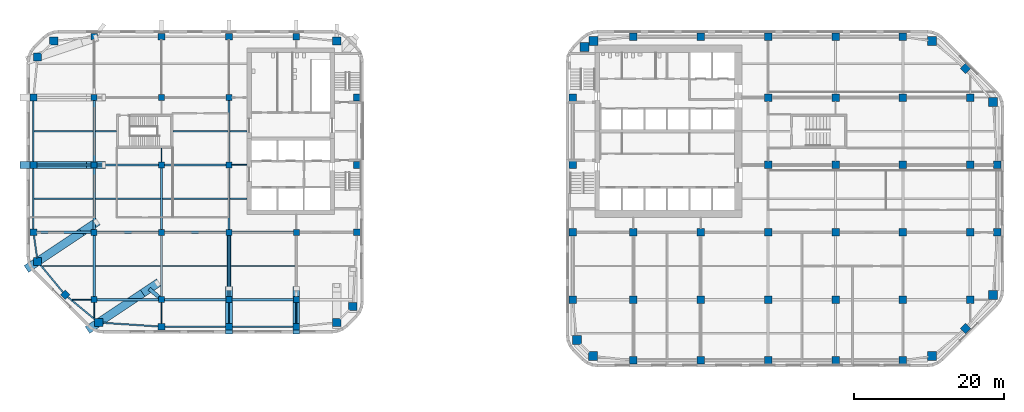
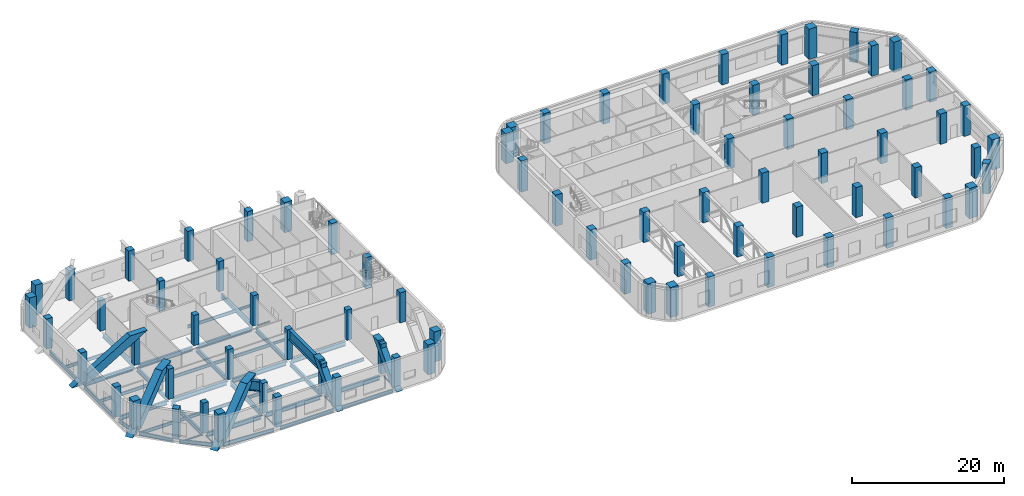
# One storey, part 1 of 23: 81 columns, 47 beams, 5 members.
"""IFC4 building model written with IfcOpenShell, lengths in metres."""

import ifcopenshell
import ifcopenshell.guid

model = None  # the IFC model being written
_history = None  # IfcOwnerHistory: only IFC2X3 demands one
_inside = {}  # id of a spatial element -> (the spatial element, [elements in it])
_under = {}  # id of a project, library or spatial element -> (it, [spatial elements below it])
_declared = {}  # id of a project -> (the project, [libraries it declares])
_typed = {}  # id of a type object -> (the type object, [elements of that type])
_made_of = {}  # id of a material, layer set ... -> (it, [elements and type objects made of it])


def new_model(schema):
    """Start an empty IFC model of exactly this schema.

    Asked for "IFC4X3", IfcOpenShell would pick the latest addendum, in which some entities
    have other attributes; the version numbers below select the first issue.
    IFC2X3 requires an IfcOwnerHistory on every rooted entity: one is made here for all.
    """
    global model, _history
    if schema == "IFC4X3":
        model = ifcopenshell.file(schema_version=(4, 3, 0, 0))
    else:
        model = ifcopenshell.file(schema=schema)
    _inside.clear()
    _under.clear()
    _declared.clear()
    _typed.clear()
    _made_of.clear()
    _history = None
    if model.schema == "IFC2X3":
        org = make("IfcOrganization", Name="unknown")
        user = make(
            "IfcPersonAndOrganization",
            ThePerson=make("IfcPerson", FamilyName="unknown"),
            TheOrganization=org,
        )
        app = make(
            "IfcApplication",
            ApplicationDeveloper=org,
            Version="unknown",
            ApplicationFullName="unknown",
            ApplicationIdentifier="unknown",
        )
        _history = make(
            "IfcOwnerHistory",
            OwningUser=user,
            OwningApplication=app,
            ChangeAction="ADDED",
            CreationDate=0,
        )
    return model


def make(cls, **values):
    """One entity of the class cls with the attributes given. An attribute that is None is left unset."""
    return model.create_entity(
        cls, **{name: value for name, value in values.items() if value is not None}
    )


def rooted(cls, **values):
    """An entity with a GlobalId (a new one), such as an element, a storey or a relation."""
    return make(cls, GlobalId=ifcopenshell.guid.new(), OwnerHistory=_history, **values)


def si_unit(unit_type, name, prefix=None):
    """IfcSIUnit, for example si_unit("LENGTHUNIT", "METRE", prefix="MILLI")."""
    return make("IfcSIUnit", UnitType=unit_type, Prefix=prefix, Name=name)


def assignment(units):
    """IfcUnitAssignment: the units of a project."""
    return None if units is None else make("IfcUnitAssignment", Units=units)


def point(xyz):
    """IfcCartesianPoint."""
    return None if xyz is None else make("IfcCartesianPoint", Coordinates=xyz)


def direction(xyz):
    """IfcDirection."""
    return None if xyz is None else make("IfcDirection", DirectionRatios=xyz)


def frame(location, z_axis=None, x_axis=None):
    """IfcAxis2Placement3D, a coordinate frame: its origin and axes. An axis left out is left unset."""
    return make(
        "IfcAxis2Placement3D",
        Location=point(location),
        Axis=direction(z_axis),
        RefDirection=direction(x_axis),
    )


def frame_2d(location, x_axis=None):
    """IfcAxis2Placement2D, a coordinate frame in the plane: its origin and x axis."""
    return make(
        "IfcAxis2Placement2D", Location=point(location), RefDirection=direction(x_axis)
    )


def origin():
    """The frame at (0, 0, 0) with its axes left unset."""
    return frame((0.0, 0.0, 0.0))


def origin_2d():
    """The frame at (0, 0) in the plane with its x axis left unset."""
    return frame_2d((0.0, 0.0))


def place(relative_to, where):
    """IfcLocalPlacement: puts the frame where relative to a parent placement (None: the world)."""
    return make(
        "IfcLocalPlacement", PlacementRelTo=relative_to, RelativePlacement=where
    )


def context(
    kind, dimensions, precision=None, world=None, true_north=None, identifier=None
):
    """IfcGeometricRepresentationContext, for example the 3D "Model" context."""
    return make(
        "IfcGeometricRepresentationContext",
        ContextIdentifier=identifier,
        ContextType=kind,
        CoordinateSpaceDimension=dimensions,
        Precision=precision,
        WorldCoordinateSystem=world,
        TrueNorth=true_north,
    )


def subcontext(parent, identifier, kind, view, scale=None):
    """IfcGeometricRepresentationSubContext, for example "Body" below "Model"."""
    return make(
        "IfcGeometricRepresentationSubContext",
        ContextIdentifier=identifier,
        ContextType=kind,
        ParentContext=parent,
        TargetScale=scale,
        TargetView=view,
    )


def project(units=None, contexts=None):
    """IfcProject with its units and contexts."""
    return rooted(
        "IfcProject",
        Name="project",
        RepresentationContexts=contexts,
        UnitsInContext=assignment(units),
    )


def spatial(cls, under=None, at=None, **own):
    """A site, building, storey or space (cls), placed at a placement, below another one or the project."""
    s = rooted(cls, ObjectPlacement=at, **own)
    if under is not None:
        _under.setdefault(under.id(), (under, []))[1].append(s)
    return s


def profile(cls, at=None, kind="AREA", **sizes):
    """A parametric profile (cls). Its sizes go by their IFC names, for example OverallWidth=200.0."""
    return make(cls, ProfileType=kind, Position=at, **sizes)


def rectangle(**sizes):
    """IfcRectangleProfileDef."""
    return profile("IfcRectangleProfileDef", **sizes)


def i_section(**sizes):
    """IfcIShapeProfileDef."""
    return profile("IfcIShapeProfileDef", **sizes)


def extrude(swept, where, along, depth):
    """IfcExtrudedAreaSolid: the profile swept, set in the frame where, extruded along a direction by depth."""
    return make(
        "IfcExtrudedAreaSolid",
        SweptArea=swept,
        Position=where,
        ExtrudedDirection=direction(along),
        Depth=depth,
    )


def shape(context_of_items, identifier, shape_type, items):
    """IfcShapeRepresentation: the items that make up one representation, for example the "Body"."""
    return make(
        "IfcShapeRepresentation",
        ContextOfItems=context_of_items,
        RepresentationIdentifier=identifier,
        RepresentationType=shape_type,
        Items=items,
    )


def material(Name=None, Category=None):
    """IfcMaterial."""
    return make("IfcMaterial", Name=Name, Category=Category)


def material_profile(
    of_material, cross_section, Name=None, Category=None, Priority=None
):
    """IfcMaterialProfile: a cross section and its material."""
    return make(
        "IfcMaterialProfile",
        Name=Name,
        Material=of_material,
        Profile=cross_section,
        Priority=Priority,
        Category=Category,
    )


def profile_set(profiles, Name=None, composite=None):
    """IfcMaterialProfileSet."""
    return make(
        "IfcMaterialProfileSet",
        Name=Name,
        MaterialProfiles=profiles,
        CompositeProfile=composite,
    )


def made_of(thing, what):
    """Note that an element or type object is made of a material, layer set ...; save() writes the relation."""
    if what is not None:
        _made_of.setdefault(what.id(), (what, []))[1].append(thing)
    return thing


def type_object(cls, material=None, **own):
    """A type object (cls), such as IfcWallType, which elements share."""
    return made_of(rooted(cls, **own), material)


def element(
    cls,
    number,
    at=None,
    inside=None,
    cuts=None,
    type_object=None,
    material=None,
    context=None,
    identifier="Body",
    shape_type=None,
    held_by="IfcProductDefinitionShape",
    body=None,
    shapes=None,
    **own,
):
    """One element of the class cls, such as IfcWall. Its Tag is "e" and its number.

    at: its placement. inside: the storey or other place that contains it. cuts: it is an
    opening in that element (IfcRelVoidsElement). A single representation is given by context,
    identifier, shape_type and body (its items); several are given by shapes. held_by: the class
    of the entity that holds the representations. save() writes the other relations.
    """
    e = rooted(cls, Tag="e%d" % number, ObjectPlacement=at, **own)
    if body is not None:
        shapes = [shape(context, identifier, shape_type, body)]
    if shapes is not None:
        e.Representation = make(held_by, Representations=shapes)
    if inside is not None:
        _inside.setdefault(inside.id(), (inside, []))[1].append(e)
    if cuts is not None:
        rooted(
            "IfcRelVoidsElement", RelatingBuildingElement=cuts, RelatedOpeningElement=e
        )
    if type_object is not None:
        _typed.setdefault(type_object.id(), (type_object, []))[1].append(e)
    return made_of(e, material)


def aggregate(whole, parts):
    """IfcRelAggregates: a whole, such as a stair, and the parts it consists of."""
    return rooted("IfcRelAggregates", RelatingObject=whole, RelatedObjects=parts)


def save(model, path):
    """Write the relations noted so far, then the file.

    IfcRelAggregates (storeys below a building ...), IfcRelContainedInSpatialStructure (elements
    in a storey), IfcRelDefinesByType, IfcRelAssociatesMaterial and IfcRelDeclares: one each for
    every whole, place, type object, material and project.
    """
    for whole, parts in _under.values():
        aggregate(whole, parts)
    for where, things in _inside.values():
        rooted(
            "IfcRelContainedInSpatialStructure",
            RelatedElements=things,
            RelatingStructure=where,
        )
    for kind, things in _typed.values():
        rooted("IfcRelDefinesByType", RelatedObjects=things, RelatingType=kind)
    for what, things in _made_of.values():
        rooted("IfcRelAssociatesMaterial", RelatedObjects=things, RelatingMaterial=what)
    for by, libraries in _declared.values():
        rooted("IfcRelDeclares", RelatingContext=by, RelatedDefinitions=libraries)
    model.write(path)


model = new_model("IFC4")

# Units and contexts
model_context = context("Model", 3, precision=1e-05, world=origin(), true_north=direction((0.0, 1.0)))
body_context = subcontext(model_context, "Body", "Model", "MODEL_VIEW")
ifc_project = project(units=[si_unit("LENGTHUNIT", "METRE"), si_unit("AREAUNIT", "SQUARE_METRE"), si_unit("VOLUMEUNIT", "CUBIC_METRE"), si_unit("PLANEANGLEUNIT", "RADIAN"), si_unit("MASSUNIT", "GRAM", prefix="KILO")], contexts=[model_context])

# Site, building, storey
site_placement = place(None, origin())
site = spatial("IfcSite", under=ifc_project, at=site_placement, CompositionType="ELEMENT")
building_placement = place(site_placement, origin())
building = spatial("IfcBuilding", under=site, at=building_placement, Name="Cinnabar Reach Civic Tower", CompositionType="ELEMENT")
storey_placement = place(building_placement, frame((0.0, 0.0, 46.0)))
storey = spatial("IfcBuildingStorey", under=building, at=storey_placement, Name="L10", CompositionType="ELEMENT", Elevation=46.0)

# Columns
ifc_material_1 = material(Name="Concrete C70", Category="concrete")
ifc_material_profile_1 = material_profile(ifc_material_1, rectangle(XDim=1.0, YDim=1.0, at=origin_2d()), Name="RC1000")
ifc_profile_set_1 = profile_set([ifc_material_profile_1], Name="Concrete C70")
column_type_1 = type_object("IfcColumnType", Name="RC1000 column R 240", PredefinedType="COLUMN", material=ifc_profile_set_1)
for number, where, z_axis, x_axis, name in (
    (1, (9.0, 0.9, 0.0), (0.0, 0.0, 1.0), (1.0, 0.0, 0.0), "Column T1-Z1-F0-1"),
    (2, (18.0, 0.9, 0.0), (0.0, 0.0, 1.0), (1.0, 0.0, 0.0), "Column T1-Z1-F0-2"),
    (3, (27.0, 0.9, 0.0), (0.0, 0.0, 1.0), (1.0, 0.0, 0.0), "Column T1-Z1-F0-3"),
    (4, (36.0, 0.9, 0.0), (0.0, 0.0, 1.0), (1.0, 0.0, 0.0), "Column T1-Z1-F0-4"),
    (5, (45.0, 0.9, 0.0), (0.0, 0.0, 1.0), (1.0, 0.0, 0.0), "Column T1-Z1-F0-5"),
    (6, (53.3636, 5.1364, 0.0), (0.0, 0.0, 1.0), (0.707106781187, 0.707106781187, 0.0), "Column T1-Z1-F1-M"),
    (7, (57.6, 18.0, 0.0), (0.0, 0.0, 1.0), (1.0, 0.0, 0.0), "Column T1-Z1-F2-2"),
    (8, (57.6, 27.0, 0.0), (0.0, 0.0, 1.0), (1.0, 0.0, 0.0), "Column T1-Z1-F2-3"),
    (9, (53.3636, 39.8636, 0.0), (0.0, 0.0, 1.0), (0.707106781187, 0.707106781187, 0.0), "Column T1-Z1-F3-M"),
    (10, (9.0, 44.1, 0.0), (0.0, 0.0, 1.0), (1.0, 0.0, 0.0), "Column T1-Z1-F4-1"),
    (11, (18.0, 44.1, 0.0), (0.0, 0.0, 1.0), (1.0, 0.0, 0.0), "Column T1-Z1-F4-2"),
    (12, (27.0, 44.1, 0.0), (0.0, 0.0, 1.0), (1.0, 0.0, 0.0), "Column T1-Z1-F4-3"),
    (13, (36.0, 44.1, 0.0), (0.0, 0.0, 1.0), (1.0, 0.0, 0.0), "Column T1-Z1-F4-4"),
    (14, (45.0, 44.1, 0.0), (0.0, 0.0, 1.0), (1.0, 0.0, 0.0), "Column T1-Z1-F4-5"),
    (15, (0.9, 9.0, 0.0), (0.0, 0.0, 1.0), (1.0, 0.0, 0.0), "Column T1-Z1-F6-1"),
    (16, (0.9, 18.0, 0.0), (0.0, 0.0, 1.0), (1.0, 0.0, 0.0), "Column T1-Z1-F6-2"),
):
    element("IfcColumn", number, at=place(storey_placement, frame(where, z_axis=z_axis, x_axis=x_axis)), inside=storey, type_object=column_type_1, Name=name, PredefinedType="COLUMN", context=body_context, shape_type="SweptSolid", body=[
        extrude(rectangle(XDim=1.0, YDim=1.0, at=origin_2d()), origin(), (0.0, 0.0, 1.0), 4.85),
    ])
for number, where, z_axis, x_axis, name in (
    (17, (0.9, 27.0, 0.0), (0.0, 0.0, 1.0), (1.0, 0.0, 0.0), "Column T1-Z1-F6-3"),
    (18, (0.9, 36.0, 0.0), (0.0, 0.0, 1.0), (1.0, 0.0, 0.0), "Column T1-Z1-F6-4"),
):
    element("IfcColumn", number, at=place(storey_placement, frame(where, z_axis=z_axis, x_axis=x_axis)), inside=storey, type_object=column_type_1, Name=name, PredefinedType="COLUMN", context=body_context, shape_type="SweptSolid", body=[
        extrude(rectangle(XDim=1.0, YDim=1.0, at=origin_2d()), origin(), (0.0, 0.0, 1.0), 5.0),
    ])
for number, where, z_axis, x_axis, name in (
    (19, (9.0, 9.0, 0.0), (0.0, 0.0, 1.0), (1.0, 0.0, 0.0), "Column T1-Z1-I9_9"),
    (20, (9.0, 18.0, 0.0), (0.0, 0.0, 1.0), (1.0, 0.0, 0.0), "Column T1-Z1-I9_18"),
    (21, (18.0, 9.0, 0.0), (0.0, 0.0, 1.0), (1.0, 0.0, 0.0), "Column T1-Z1-I18_9"),
    (22, (18.0, 18.0, 0.0), (0.0, 0.0, 1.0), (1.0, 0.0, 0.0), "Column T1-Z1-I18_18"),
    (23, (27.0, 9.0, 0.0), (0.0, 0.0, 1.0), (1.0, 0.0, 0.0), "Column T1-Z1-I27_9"),
    (24, (27.0, 18.0, 0.0), (0.0, 0.0, 1.0), (1.0, 0.0, 0.0), "Column T1-Z1-I27_18"),
    (25, (27.0, 27.0, 0.0), (0.0, 0.0, 1.0), (1.0, 0.0, 0.0), "Column T1-Z1-I27_27"),
    (26, (27.0, 36.0, 0.0), (0.0, 0.0, 1.0), (1.0, 0.0, 0.0), "Column T1-Z1-I27_36"),
    (27, (36.0, 9.0, 0.0), (0.0, 0.0, 1.0), (1.0, 0.0, 0.0), "Column T1-Z1-I36_9"),
    (28, (36.0, 18.0, 0.0), (0.0, 0.0, 1.0), (1.0, 0.0, 0.0), "Column T1-Z1-I36_18"),
    (29, (36.0, 27.0, 0.0), (0.0, 0.0, 1.0), (1.0, 0.0, 0.0), "Column T1-Z1-I36_27"),
    (30, (36.0, 36.0, 0.0), (0.0, 0.0, 1.0), (1.0, 0.0, 0.0), "Column T1-Z1-I36_36"),
    (31, (45.0, 9.0, 0.0), (0.0, 0.0, 1.0), (1.0, 0.0, 0.0), "Column T1-Z1-I45_9"),
    (32, (45.0, 18.0, 0.0), (0.0, 0.0, 1.0), (1.0, 0.0, 0.0), "Column T1-Z1-I45_18"),
    (33, (45.0, 27.0, 0.0), (0.0, 0.0, 1.0), (1.0, 0.0, 0.0), "Column T1-Z1-I45_27"),
    (34, (45.0, 36.0, 0.0), (0.0, 0.0, 1.0), (1.0, 0.0, 0.0), "Column T1-Z1-I45_36"),
    (35, (54.0, 9.0, 0.0), (0.0, 0.0, 1.0), (1.0, 0.0, 0.0), "Column T1-Z1-I54_9"),
    (36, (54.0, 18.0, 0.0), (0.0, 0.0, 1.0), (1.0, 0.0, 0.0), "Column T1-Z1-I54_18"),
    (37, (54.0, 27.0, 0.0), (0.0, 0.0, 1.0), (1.0, 0.0, 0.0), "Column T1-Z1-I54_27"),
    (38, (54.0, 36.0, 0.0), (0.0, 0.0, 1.0), (1.0, 0.0, 0.0), "Column T1-Z1-I54_36"),
):
    element("IfcColumn", number, at=place(storey_placement, frame(where, z_axis=z_axis, x_axis=x_axis)), inside=storey, type_object=column_type_1, Name=name, PredefinedType="COLUMN", context=body_context, shape_type="SweptSolid", body=[
        extrude(rectangle(XDim=1.0, YDim=1.0, at=origin_2d()), origin(), (0.0, 0.0, 1.0), 4.85),
    ])
ifc_material_2 = material(Name="Concrete C80", Category="concrete")
ifc_material_profile_2 = material_profile(ifc_material_2, rectangle(XDim=1.1, YDim=1.1, at=origin_2d()), Name="RC1100")
ifc_profile_set_2 = profile_set([ifc_material_profile_2], Name="Concrete C80")
column_type_2 = type_object("IfcColumnType", Name="RC1100 column R 180", PredefinedType="COLUMN", material=ifc_profile_set_2)
for number, where, z_axis, x_axis, name in (
    (39, (-62.3981, 5.9531, 0.0), (0.0, 0.0, 1.0), (1.0, 0.0, 0.0), "Terrace post T2-Z1-CC0"),
    (40, (-30.6019, 5.9531, 0.0), (0.0, 0.0, 1.0), (1.0, 0.0, 0.0), "Terrace post T2-Z1-CC1"),
    (41, (-28.4531, 8.1019, 0.0), (0.0, 0.0, 1.0), (1.0, 0.0, 0.0), "Terrace post T2-Z1-CC2"),
    (42, (-30.6019, 43.5469, 0.0), (0.0, 0.0, 1.0), (1.0, 0.0, 0.0), "Column T2-Z1-CC4"),
    (43, (-68.3981, 43.5469, 0.0), (0.0, 0.0, 1.0), (1.0, 0.0, 0.0), "Column T2-Z1-CC5"),
    (44, (-70.5469, 41.3981, 0.0), (0.0, 0.0, 1.0), (1.0, 0.0, 0.0), "Terrace post T2-Z1-CC6"),
    (45, (-70.5469, 14.1019, 0.0), (0.0, 0.0, 1.0), (1.0, 0.0, 0.0), "Terrace post T2-Z1-CC7"),
):
    element("IfcColumn", number, at=place(storey_placement, frame(where, z_axis=z_axis, x_axis=x_axis)), inside=storey, type_object=column_type_2, Name=name, PredefinedType="COLUMN", context=body_context, shape_type="SweptSolid", body=[
        extrude(rectangle(XDim=1.1, YDim=1.1, at=origin_2d()), origin(), (0.0, 0.0, 1.0), 4.85),
    ])
ifc_material_profile_3 = material_profile(ifc_material_2, rectangle(XDim=1.2, YDim=1.2, at=origin_2d()), Name="RC1200")
ifc_profile_set_3 = profile_set([ifc_material_profile_3], Name="Concrete C80")
column_type_3 = type_object("IfcColumnType", Name="RC1200 column R 240", PredefinedType="COLUMN", material=ifc_profile_set_3)
for number, where, z_axis, x_axis, name in (
    (46, (3.6019, 1.4531, 0.0), (0.0, 0.0, 1.0), (1.0, 0.0, 0.0), "Column T1-Z1-CC0"),
    (47, (48.8981, 1.4531, 0.0), (0.0, 0.0, 1.0), (1.0, 0.0, 0.0), "Column T1-Z1-CC1"),
    (48, (57.0469, 9.6019, 0.0), (0.0, 0.0, 1.0), (1.0, 0.0, 0.0), "Column T1-Z1-CC2"),
    (49, (57.0469, 35.3981, 0.0), (0.0, 0.0, 1.0), (1.0, 0.0, 0.0), "Column T1-Z1-CC3"),
    (50, (48.8981, 43.5469, 0.0), (0.0, 0.0, 1.0), (1.0, 0.0, 0.0), "Column T1-Z1-CC4"),
    (51, (3.6666, 43.5737, 0.0), (0.0, 0.0, 1.0), (1.0, 0.0, 0.0), "Column T1-Z1-CC5"),
    (52, (2.4631, 42.75, 0.0), (0.0, 0.0, 1.0), (1.0, 0.0, 0.0), "Column T1-Z1-CC6"),
    (53, (1.4531, 3.6019, 0.0), (0.0, 0.0, 1.0), (1.0, 0.0, 0.0), "Column T1-Z1-CC7"),
):
    element("IfcColumn", number, at=place(storey_placement, frame(where, z_axis=z_axis, x_axis=x_axis)), inside=storey, type_object=column_type_3, Name=name, PredefinedType="COLUMN", context=body_context, shape_type="SweptSolid", body=[
        extrude(rectangle(XDim=1.2, YDim=1.2, at=origin_2d()), origin(), (0.0, 0.0, 1.0), 4.85),
    ])
ifc_material_3 = material(Name="Concrete C60", Category="concrete")
ifc_material_profile_4 = material_profile(ifc_material_3, rectangle(XDim=0.8, YDim=0.8, at=origin_2d()), Name="RC800")
ifc_profile_set_4 = profile_set([ifc_material_profile_4], Name="Concrete C60")
column_type_4 = type_object("IfcColumnType", Name="RC800 column R 180", PredefinedType="COLUMN", material=ifc_profile_set_4)
for number, where, z_axis, x_axis, name in (
    (54, (-63.0, 9.0, 0.0), (0.0, 0.0, 1.0), (1.0, 0.0, 0.0), "Column T2-Z1-I-63_9"),
    (55, (-63.0, 18.0, 0.0), (0.0, 0.0, 1.0), (1.0, 0.0, 0.0), "Column T2-Z1-I-63_18"),
    (56, (-63.0, 27.0, 0.0), (0.0, 0.0, 1.0), (1.0, 0.0, 0.0), "Column T2-Z1-I-63_27"),
    (57, (-63.0, 36.0, 0.0), (0.0, 0.0, 1.0), (1.0, 0.0, 0.0), "Column T2-Z1-I-63_36"),
    (58, (-54.0, 9.0, 0.0), (0.0, 0.0, 1.0), (1.0, 0.0, 0.0), "Column T2-Z1-I-54_9"),
    (59, (-54.0, 18.0, 0.0), (0.0, 0.0, 1.0), (1.0, 0.0, 0.0), "Column T2-Z1-I-54_18"),
    (60, (-54.0, 27.0, 0.0), (0.0, 0.0, 1.0), (1.0, 0.0, 0.0), "Column T2-Z1-I-54_27"),
    (61, (-54.0, 36.0, 0.0), (0.0, 0.0, 1.0), (1.0, 0.0, 0.0), "Column T2-Z1-I-54_36"),
    (62, (-45.0, 9.0, 0.0), (0.0, 0.0, 1.0), (1.0, 0.0, 0.0), "Column T2-Z1-I-45_9"),
    (63, (-45.0, 18.0, 0.0), (0.0, 0.0, 1.0), (1.0, 0.0, 0.0), "Column T2-Z1-I-45_18"),
    (64, (-45.0, 27.0, 0.0), (0.0, 0.0, 1.0), (1.0, 0.0, 0.0), "Column T2-Z1-I-45_27"),
    (65, (-45.0, 36.0, 0.0), (0.0, 0.0, 1.0), (1.0, 0.0, 0.0), "Column T2-Z1-I-45_36"),
    (66, (-36.0, 9.0, 0.0), (0.0, 0.0, 1.0), (1.0, 0.0, 0.0), "Column T2-Z1-I-36_9"),
    (67, (-36.0, 18.0, 0.0), (0.0, 0.0, 1.0), (1.0, 0.0, 0.0), "Column T2-Z1-I-36_18"),
):
    element("IfcColumn", number, at=place(storey_placement, frame(where, z_axis=z_axis, x_axis=x_axis)), inside=storey, type_object=column_type_4, Name=name, PredefinedType="COLUMN", context=body_context, shape_type="SweptSolid", body=[
        extrude(rectangle(XDim=0.8, YDim=0.8, at=origin_2d()), origin(), (0.0, 0.0, 1.0), 4.85),
    ])
ifc_material_profile_5 = material_profile(ifc_material_1, rectangle(XDim=0.9, YDim=0.9, at=origin_2d()), Name="RC900")
ifc_profile_set_5 = profile_set([ifc_material_profile_5], Name="Concrete C70")
column_type_5 = type_object("IfcColumnType", Name="RC900 column R 180", PredefinedType="COLUMN", material=ifc_profile_set_5)
for number, where, z_axis, x_axis, name in (
    (68, (-54.0, 5.4, 0.0), (0.0, 0.0, 1.0), (1.0, 0.0, 0.0), "Column T2-Z1-F0--6"),
    (69, (-45.0, 5.4, 0.0), (0.0, 0.0, 1.0), (1.0, 0.0, 0.0), "Terrace post T2-Z1-F0--5"),
    (70, (-36.0, 5.4, 0.0), (0.0, 0.0, 1.0), (1.0, 0.0, 0.0), "Terrace post T2-Z1-F0--4"),
    (71, (-27.9, 18.0, 0.0), (0.0, 0.0, 1.0), (1.0, 0.0, 0.0), "Column T2-Z1-F2-2"),
):
    element("IfcColumn", number, at=place(storey_placement, frame(where, z_axis=z_axis, x_axis=x_axis)), inside=storey, type_object=column_type_5, Name=name, PredefinedType="COLUMN", context=body_context, shape_type="SweptSolid", body=[
        extrude(rectangle(XDim=0.9, YDim=0.9, at=origin_2d()), origin(), (0.0, 0.0, 1.0), 4.85),
    ])
for number, where, z_axis, x_axis, name in (
    (72, (-27.9, 27.0, 0.0), (0.0, 0.0, 1.0), (1.0, 0.0, 0.0), "Column T2-Z1-F2-3"),
    (73, (-27.9, 36.0, 0.0), (0.0, 0.0, 1.0), (1.0, 0.0, 0.0), "Column T2-Z1-F2-4"),
):
    element("IfcColumn", number, at=place(storey_placement, frame(where, z_axis=z_axis, x_axis=x_axis)), inside=storey, type_object=column_type_5, Name=name, PredefinedType="COLUMN", context=body_context, shape_type="SweptSolid", body=[
        extrude(rectangle(XDim=0.9, YDim=0.9, at=origin_2d()), origin(), (0.0, 0.0, 1.0), 5.0),
    ])
for number, where, z_axis, x_axis, name in (
    (74, (-63.0, 44.1, 0.0), (0.0, 0.0, 1.0), (1.0, 0.0, 0.0), "Column T2-Z1-F4--7"),
    (75, (-54.0, 44.1, 0.0), (0.0, 0.0, 1.0), (1.0, 0.0, 0.0), "Column T2-Z1-F4--6"),
    (76, (-45.0, 44.1, 0.0), (0.0, 0.0, 1.0), (1.0, 0.0, 0.0), "Column T2-Z1-F4--5"),
    (77, (-36.0, 44.1, 0.0), (0.0, 0.0, 1.0), (1.0, 0.0, 0.0), "Column T2-Z1-F4--4"),
    (78, (-71.1, 18.0, 0.0), (0.0, 0.0, 1.0), (1.0, 0.0, 0.0), "Column T2-Z1-F6-2"),
    (79, (-71.1, 27.0, 0.0), (0.0, 0.0, 1.0), (1.0, 0.0, 0.0), "Terrace post T2-Z1-F6-3"),
    (80, (-71.1, 36.0, 0.0), (0.0, 0.0, 1.0), (1.0, 0.0, 0.0), "Terrace post T2-Z1-F6-4"),
    (81, (-66.8636, 9.6364, 0.0), (0.0, 0.0, 1.0), (0.707106781187, 0.707106781187, 0.0), "Column T2-Z1-F7-M"),
):
    element("IfcColumn", number, at=place(storey_placement, frame(where, z_axis=z_axis, x_axis=x_axis)), inside=storey, type_object=column_type_5, Name=name, PredefinedType="COLUMN", context=body_context, shape_type="SweptSolid", body=[
        extrude(rectangle(XDim=0.9, YDim=0.9, at=origin_2d()), origin(), (0.0, 0.0, 1.0), 4.85),
    ])

# Beams
ifc_material_4 = material(Name="Steel Q355B", Category="steel")
ifc_material_profile_6 = material_profile(ifc_material_4, i_section(OverallWidth=0.099, OverallDepth=0.198, WebThickness=0.0045, FlangeThickness=0.007, FilletRadius=0.013, at=origin_2d()), Name="HN200x100x5.5x8")
ifc_profile_set_6 = profile_set([ifc_material_profile_6], Name="Steel Q355B")
beam_type_1 = type_object("IfcBeamType", Name="HN200x100x5.5x8 beam R 120", PredefinedType="BEAM", material=ifc_profile_set_6)
beam_1_placement = place(storey_placement, frame((-63.0, 6.5818, -0.399), z_axis=(0.0, 1.0, 0.0), x_axis=(-1.0, 0.0, 0.0)))
element("IfcBeam", 82, at=beam_1_placement, inside=storey, type_object=beam_type_1, Name="Girder T2 L10 1", PredefinedType="BEAM", context=body_context, shape_type="SweptSolid", body=[
    extrude(i_section(OverallWidth=0.099, OverallDepth=0.198, WebThickness=0.0045, FlangeThickness=0.007, FilletRadius=0.013, at=origin_2d()), origin(), (0.0, 0.0, 1.0), 2.0162),
])
beam_2_placement = place(storey_placement, frame((-54.0, 5.852, -0.399), z_axis=(0.0, 1.0, 0.0), x_axis=(-1.0, 0.0, 0.0)))
element("IfcBeam", 83, at=beam_2_placement, inside=storey, type_object=beam_type_1, Name="Girder T2 L10 6", PredefinedType="BEAM", context=body_context, shape_type="SweptSolid", body=[
    extrude(i_section(OverallWidth=0.099, OverallDepth=0.198, WebThickness=0.0045, FlangeThickness=0.007, FilletRadius=0.013, at=origin_2d()), origin(), (0.0, 0.0, 1.0), 2.746),
])
beam_3_placement = place(storey_placement, frame((-54.0, 27.402, -0.399), z_axis=(0.0, 1.0, 0.0), x_axis=(-1.0, 0.0, 0.0)))
element("IfcBeam", 84, at=beam_3_placement, inside=storey, type_object=beam_type_1, Name="Girder T2 L10 9", PredefinedType="BEAM", context=body_context, shape_type="SweptSolid", body=[
    extrude(i_section(OverallWidth=0.099, OverallDepth=0.198, WebThickness=0.0045, FlangeThickness=0.007, FilletRadius=0.013, at=origin_2d()), origin(), (0.0, 0.0, 1.0), 1.846),
])
for number, where, z_axis, x_axis, name in (
    (85, (-45.0, 5.852, -0.399), (0.0, 1.0, 0.0), (-1.0, 0.0, 0.0), "Girder T2 L10 12"),
    (86, (-36.0, 5.852, -0.399), (0.0, 1.0, 0.0), (-1.0, 0.0, 0.0), "Girder T2 L10 17"),
):
    element("IfcBeam", number, at=place(storey_placement, frame(where, z_axis=z_axis, x_axis=x_axis)), inside=storey, type_object=beam_type_1, Name=name, PredefinedType="BEAM", context=body_context, shape_type="SweptSolid", body=[
        extrude(i_section(OverallWidth=0.099, OverallDepth=0.198, WebThickness=0.0045, FlangeThickness=0.007, FilletRadius=0.013, at=origin_2d()), origin(), (0.0, 0.0, 1.0), 2.746),
    ])
ifc_material_profile_7 = material_profile(ifc_material_4, i_section(OverallWidth=0.124, OverallDepth=0.248, WebThickness=0.005, FlangeThickness=0.008, FilletRadius=0.013, at=origin_2d()), Name="HN250x125x6x9")
ifc_profile_set_7 = profile_set([ifc_material_profile_7], Name="Steel Q355B")
beam_type_2 = type_object("IfcBeamType", Name="HN250x125x6x9 beam R 120", PredefinedType="BEAM", material=ifc_profile_set_7)
beam_4_placement = place(storey_placement, frame((-65.9318, 9.0, -0.424), z_axis=(1.0, 0.0, 0.0), x_axis=(0.0, 1.0, 0.0)))
element("IfcBeam", 87, at=beam_4_placement, inside=storey, type_object=beam_type_2, Name="Girder T2 L10 1", PredefinedType="BEAM", context=body_context, shape_type="SweptSolid", body=[
    extrude(i_section(OverallWidth=0.124, OverallDepth=0.248, WebThickness=0.005, FlangeThickness=0.008, FilletRadius=0.013, at=origin_2d()), origin(), (0.0, 0.0, 1.0), 2.5298),
])
beam_5_placement = place(storey_placement, frame((-44.598, 27.0, -0.424), z_axis=(1.0, 0.0, 0.0), x_axis=(0.0, 1.0, 0.0)))
element("IfcBeam", 88, at=beam_5_placement, inside=storey, type_object=beam_type_2, Name="Girder T2 L10 14", PredefinedType="BEAM", context=body_context, shape_type="SweptSolid", body=[
    extrude(i_section(OverallWidth=0.124, OverallDepth=0.248, WebThickness=0.005, FlangeThickness=0.008, FilletRadius=0.013, at=origin_2d()), origin(), (0.0, 0.0, 1.0), 1.996),
])
ifc_material_profile_8 = material_profile(ifc_material_4, i_section(OverallWidth=0.2, OverallDepth=0.4, WebThickness=0.008, FlangeThickness=0.013, FilletRadius=0.016, at=origin_2d()), Name="HN400x200x8x13")
ifc_profile_set_8 = profile_set([ifc_material_profile_8], Name="Steel Q355B")
beam_type_3 = type_object("IfcBeamType", Name="HN400x200x8x13 beam R 120", PredefinedType="BEAM", material=ifc_profile_set_8)
beam_6_placement = place(storey_placement, frame((-44.848, 22.5, -0.5), z_axis=(1.0, 0.0, 0.0), x_axis=(0.0, 1.0, 0.0)))
element("IfcBeam", 89, at=beam_6_placement, inside=storey, type_object=beam_type_3, Name="Secondary beam T2 L10 9", PredefinedType="BEAM", context=body_context, shape_type="SweptSolid", body=[
    extrude(i_section(OverallWidth=0.2, OverallDepth=0.4, WebThickness=0.008, FlangeThickness=0.013, FilletRadius=0.016, at=origin_2d()), origin(), (0.0, 0.0, 1.0), 2.246),
])
beam_7_placement = place(storey_placement, frame((-62.848, 31.5, -0.5), z_axis=(1.0, 0.0, 0.0), x_axis=(0.0, 1.0, 0.0)))
element("IfcBeam", 90, at=beam_7_placement, inside=storey, type_object=beam_type_3, Name="Secondary beam T2 L10 11", PredefinedType="BEAM", context=body_context, shape_type="SweptSolid", body=[
    extrude(i_section(OverallWidth=0.2, OverallDepth=0.4, WebThickness=0.008, FlangeThickness=0.013, FilletRadius=0.016, at=origin_2d()), origin(), (0.0, 0.0, 1.0), 2.846),
])
beam_8_placement = place(storey_placement, frame((-44.848, 31.5, -0.5), z_axis=(1.0, 0.0, 0.0), x_axis=(0.0, 1.0, 0.0)))
element("IfcBeam", 91, at=beam_8_placement, inside=storey, type_object=beam_type_3, Name="Secondary beam T2 L10 13", PredefinedType="BEAM", context=body_context, shape_type="SweptSolid", body=[
    extrude(i_section(OverallWidth=0.2, OverallDepth=0.4, WebThickness=0.008, FlangeThickness=0.013, FilletRadius=0.016, at=origin_2d()), origin(), (0.0, 0.0, 1.0), 2.246),
])
ifc_material_profile_9 = material_profile(ifc_material_4, i_section(OverallWidth=0.2, OverallDepth=0.5, WebThickness=0.01, FlangeThickness=0.016, FilletRadius=0.016, at=origin_2d()), Name="HN500x200x10x16")
ifc_profile_set_9 = profile_set([ifc_material_profile_9], Name="Steel Q355B")
beam_type_4 = type_object("IfcBeamType", Name="HN500x200x10x16 beam R 120", PredefinedType="BEAM", material=ifc_profile_set_9)
beam_9_placement = place(storey_placement, frame((-69.9182, 13.5, -0.55), z_axis=(1.0, 0.0, 0.0), x_axis=(0.0, 1.0, 0.0)))
element("IfcBeam", 92, at=beam_9_placement, inside=storey, type_object=beam_type_4, Name="Secondary beam T2 L10 1", PredefinedType="BEAM", context=body_context, shape_type="SweptSolid", body=[
    extrude(i_section(OverallWidth=0.2, OverallDepth=0.5, WebThickness=0.01, FlangeThickness=0.016, FilletRadius=0.016, at=origin_2d()), origin(), (0.0, 0.0, 1.0), 6.7662),
])
for number, where, z_axis, x_axis, name in (
    (93, (-62.848, 13.5, -0.55), (1.0, 0.0, 0.0), (0.0, 1.0, 0.0), "Secondary beam T2 L10 2"),
    (94, (-53.848, 13.5, -0.55), (1.0, 0.0, 0.0), (0.0, 1.0, 0.0), "Secondary beam T2 L10 3"),
    (95, (-44.848, 13.5, -0.55), (1.0, 0.0, 0.0), (0.0, 1.0, 0.0), "Secondary beam T2 L10 4"),
):
    element("IfcBeam", number, at=place(storey_placement, frame(where, z_axis=z_axis, x_axis=x_axis)), inside=storey, type_object=beam_type_4, Name=name, PredefinedType="BEAM", context=body_context, shape_type="SweptSolid", body=[
        extrude(i_section(OverallWidth=0.2, OverallDepth=0.5, WebThickness=0.01, FlangeThickness=0.016, FilletRadius=0.016, at=origin_2d()), origin(), (0.0, 0.0, 1.0), 8.696),
    ])
beam_10_placement = place(storey_placement, frame((-70.998, 22.5, -0.55), z_axis=(1.0, 0.0, 0.0), x_axis=(0.0, 1.0, 0.0)))
element("IfcBeam", 96, at=beam_10_placement, inside=storey, type_object=beam_type_4, Name="Secondary beam T2 L10 6", PredefinedType="BEAM", context=body_context, shape_type="SweptSolid", body=[
    extrude(i_section(OverallWidth=0.2, OverallDepth=0.5, WebThickness=0.01, FlangeThickness=0.016, FilletRadius=0.016, at=origin_2d()), origin(), (0.0, 0.0, 1.0), 7.846),
])
for number, where, z_axis, x_axis, name in (
    (97, (-62.848, 22.5, -0.55), (1.0, 0.0, 0.0), (0.0, 1.0, 0.0), "Secondary beam T2 L10 7"),
    (98, (-53.848, 22.5, -0.55), (1.0, 0.0, 0.0), (0.0, 1.0, 0.0), "Secondary beam T2 L10 8"),
):
    element("IfcBeam", number, at=place(storey_placement, frame(where, z_axis=z_axis, x_axis=x_axis)), inside=storey, type_object=beam_type_4, Name=name, PredefinedType="BEAM", context=body_context, shape_type="SweptSolid", body=[
        extrude(i_section(OverallWidth=0.2, OverallDepth=0.5, WebThickness=0.01, FlangeThickness=0.016, FilletRadius=0.016, at=origin_2d()), origin(), (0.0, 0.0, 1.0), 8.696),
    ])
beam_11_placement = place(storey_placement, frame((-70.998, 31.5, -0.55), z_axis=(1.0, 0.0, 0.0), x_axis=(0.0, 1.0, 0.0)))
element("IfcBeam", 99, at=beam_11_placement, inside=storey, type_object=beam_type_4, Name="Secondary beam T2 L10 10", PredefinedType="BEAM", context=body_context, shape_type="SweptSolid", body=[
    extrude(i_section(OverallWidth=0.2, OverallDepth=0.5, WebThickness=0.01, FlangeThickness=0.016, FilletRadius=0.016, at=origin_2d()), origin(), (0.0, 0.0, 1.0), 7.846),
])
beam_12_placement = place(storey_placement, frame((-52.498, 31.5, -0.55), z_axis=(1.0, 0.0, 0.0), x_axis=(0.0, 1.0, 0.0)))
element("IfcBeam", 100, at=beam_12_placement, inside=storey, type_object=beam_type_4, Name="Secondary beam T2 L10 12", PredefinedType="BEAM", context=body_context, shape_type="SweptSolid", body=[
    extrude(i_section(OverallWidth=0.2, OverallDepth=0.5, WebThickness=0.01, FlangeThickness=0.016, FilletRadius=0.016, at=origin_2d()), origin(), (0.0, 0.0, 1.0), 7.346),
])
ifc_material_profile_10 = material_profile(ifc_material_4, i_section(OverallWidth=0.2, OverallDepth=0.6, WebThickness=0.011, FlangeThickness=0.017, FilletRadius=0.016, at=origin_2d()), Name="HN600x200x11x17")
ifc_profile_set_10 = profile_set([ifc_material_profile_10], Name="Steel Q355B")
beam_type_5 = type_object("IfcBeamType", Name="HN600x200x11x17 beam R 120", PredefinedType="BEAM", material=ifc_profile_set_10)
beam_13_placement = place(storey_placement, frame((-61.9661, 5.9246, -0.6), z_axis=(0.99783894477, -0.065707231721, 0.0), x_axis=(0.065707231721, 0.99783894477, 0.0)))
element("IfcBeam", 101, at=beam_13_placement, inside=storey, type_object=beam_type_5, Name="Edge beam T2 L10 1", PredefinedType="BEAM", context=body_context, shape_type="SweptSolid", body=[
    extrude(i_section(OverallWidth=0.2, OverallDepth=0.6, WebThickness=0.011, FlangeThickness=0.017, FilletRadius=0.016, at=origin_2d()), origin(), (0.0, 0.0, 1.0), 7.5304),
])
for number, where, z_axis, x_axis, name in (
    (102, (-53.548, 5.4, -0.6), (1.0, 0.0, 0.0), (0.0, 1.0, 0.0), "Edge beam T2 L10 2"),
    (103, (-44.548, 5.4, -0.6), (1.0, 0.0, 0.0), (0.0, 1.0, 0.0), "Edge beam T2 L10 3"),
    (104, (-71.1, 35.548, -0.6), (0.0, -1.0, 0.0), (1.0, 0.0, 0.0), "Edge beam T2 L10 16"),
    (105, (-71.1, 26.548, -0.6), (0.0, -1.0, 0.0), (1.0, 0.0, 0.0), "Edge beam T2 L10 17"),
):
    element("IfcBeam", number, at=place(storey_placement, frame(where, z_axis=z_axis, x_axis=x_axis)), inside=storey, type_object=beam_type_5, Name=name, PredefinedType="BEAM", context=body_context, shape_type="SweptSolid", body=[
        extrude(i_section(OverallWidth=0.2, OverallDepth=0.6, WebThickness=0.011, FlangeThickness=0.017, FilletRadius=0.016, at=origin_2d()), origin(), (0.0, 0.0, 1.0), 8.096),
    ])
beam_14_placement = place(storey_placement, frame((-71.0359, 17.548, -0.6), z_axis=(0.140492342965, -0.990081765092, 0.0), x_axis=(0.990081765092, 0.140492342965, 0.0)))
element("IfcBeam", 106, at=beam_14_placement, inside=storey, type_object=beam_type_5, Name="Edge beam T2 L10 18", PredefinedType="BEAM", context=body_context, shape_type="SweptSolid", body=[
    extrude(i_section(OverallWidth=0.2, OverallDepth=0.6, WebThickness=0.011, FlangeThickness=0.017, FilletRadius=0.016, at=origin_2d()), origin(), (0.0, 0.0, 1.0), 3.0443),
])
for number, where, z_axis, x_axis, name in (
    (107, (-70.1906, 13.6699, -0.6), (0.63630880182, -0.771434448755, 0.0), (0.771434448755, 0.63630880182, 0.0), "Edge beam T2 L10 19"),
    (108, (-66.5598, 9.3858, -0.6), (0.771434448755, -0.63630880182, 0.0), (0.63630880182, 0.771434448755, 0.0), "Edge beam T2 L10 20"),
):
    element("IfcBeam", number, at=place(storey_placement, frame(where, z_axis=z_axis, x_axis=x_axis)), inside=storey, type_object=beam_type_5, Name=name, PredefinedType="BEAM", context=body_context, shape_type="SweptSolid", body=[
        extrude(i_section(OverallWidth=0.2, OverallDepth=0.6, WebThickness=0.011, FlangeThickness=0.017, FilletRadius=0.016, at=origin_2d()), origin(), (0.0, 0.0, 1.0), 4.8348),
    ])
ifc_material_profile_11 = material_profile(ifc_material_4, i_section(OverallWidth=0.3, OverallDepth=0.692, WebThickness=0.013, FlangeThickness=0.02, FilletRadius=0.016, at=origin_2d()), Name="HN692x300x13x20")
ifc_profile_set_11 = profile_set([ifc_material_profile_11], Name="Steel Q355B")
beam_type_6 = type_object("IfcBeamType", Name="HN692x300x13x20 beam R 120", PredefinedType="BEAM", material=ifc_profile_set_11)
for number, where, z_axis, x_axis, name in (
    (109, (-63.0, 9.402, -0.646), (0.0, 1.0, 0.0), (-1.0, 0.0, 0.0), "Girder T2 L10 2"),
    (110, (-63.0, 18.402, -0.646), (0.0, 1.0, 0.0), (-1.0, 0.0, 0.0), "Girder T2 L10 3"),
    (111, (-63.0, 27.402, -0.646), (0.0, 1.0, 0.0), (-1.0, 0.0, 0.0), "Girder T2 L10 4"),
    (112, (-54.0, 9.402, -0.646), (0.0, 1.0, 0.0), (-1.0, 0.0, 0.0), "Girder T2 L10 7"),
    (113, (-54.0, 18.402, -0.646), (0.0, 1.0, 0.0), (-1.0, 0.0, 0.0), "Girder T2 L10 8"),
    (114, (-45.0, 9.402, -0.646), (0.0, 1.0, 0.0), (-1.0, 0.0, 0.0), "Girder T2 L10 13"),
    (115, (-45.0, 18.402, -0.646), (0.0, 1.0, 0.0), (-1.0, 0.0, 0.0), "Girder T2 L10 14"),
    (116, (-45.0, 27.402, -0.646), (0.0, 1.0, 0.0), (-1.0, 0.0, 0.0), "Girder T2 L10 15"),
):
    element("IfcBeam", number, at=place(storey_placement, frame(where, z_axis=z_axis, x_axis=x_axis)), inside=storey, type_object=beam_type_6, Name=name, PredefinedType="BEAM", context=body_context, shape_type="SweptSolid", body=[
        extrude(i_section(OverallWidth=0.3, OverallDepth=0.692, WebThickness=0.013, FlangeThickness=0.02, FilletRadius=0.016, at=origin_2d()), origin(), (0.0, 0.0, 1.0), 8.196),
    ])
ifc_material_profile_12 = material_profile(ifc_material_4, i_section(OverallWidth=0.3, OverallDepth=0.7, WebThickness=0.013, FlangeThickness=0.024, FilletRadius=0.02, at=origin_2d()), Name="HN700x300x13x24")
ifc_profile_set_12 = profile_set([ifc_material_profile_12], Name="Steel Q355B")
beam_type_7 = type_object("IfcBeamType", Name="HN700x300x13x24 beam R 120", PredefinedType="BEAM", material=ifc_profile_set_12)
for number, where, z_axis, x_axis, name in (
    (117, (-62.598, 9.0, -0.65), (1.0, 0.0, 0.0), (0.0, 1.0, 0.0), "Girder T2 L10 2"),
    (118, (-53.598, 9.0, -0.65), (1.0, 0.0, 0.0), (0.0, 1.0, 0.0), "Girder T2 L10 3"),
    (119, (-44.598, 9.0, -0.65), (1.0, 0.0, 0.0), (0.0, 1.0, 0.0), "Girder T2 L10 4"),
):
    element("IfcBeam", number, at=place(storey_placement, frame(where, z_axis=z_axis, x_axis=x_axis)), inside=storey, type_object=beam_type_7, Name=name, PredefinedType="BEAM", context=body_context, shape_type="SweptSolid", body=[
        extrude(i_section(OverallWidth=0.3, OverallDepth=0.7, WebThickness=0.013, FlangeThickness=0.024, FilletRadius=0.02, at=origin_2d()), origin(), (0.0, 0.0, 1.0), 8.196),
    ])
beam_15_placement = place(storey_placement, frame((-70.648, 18.0, -0.65), z_axis=(1.0, 0.0, 0.0), x_axis=(0.0, 1.0, 0.0)))
element("IfcBeam", 120, at=beam_15_placement, inside=storey, type_object=beam_type_7, Name="Girder T2 L10 6", PredefinedType="BEAM", context=body_context, shape_type="SweptSolid", body=[
    extrude(i_section(OverallWidth=0.3, OverallDepth=0.7, WebThickness=0.013, FlangeThickness=0.024, FilletRadius=0.02, at=origin_2d()), origin(), (0.0, 0.0, 1.0), 7.246),
])
for number, where, z_axis, x_axis, name in (
    (121, (-62.598, 18.0, -0.65), (1.0, 0.0, 0.0), (0.0, 1.0, 0.0), "Girder T2 L10 7"),
    (122, (-53.598, 18.0, -0.65), (1.0, 0.0, 0.0), (0.0, 1.0, 0.0), "Girder T2 L10 8"),
    (123, (-44.598, 18.0, -0.65), (1.0, 0.0, 0.0), (0.0, 1.0, 0.0), "Girder T2 L10 9"),
):
    element("IfcBeam", number, at=place(storey_placement, frame(where, z_axis=z_axis, x_axis=x_axis)), inside=storey, type_object=beam_type_7, Name=name, PredefinedType="BEAM", context=body_context, shape_type="SweptSolid", body=[
        extrude(i_section(OverallWidth=0.3, OverallDepth=0.7, WebThickness=0.013, FlangeThickness=0.024, FilletRadius=0.02, at=origin_2d()), origin(), (0.0, 0.0, 1.0), 8.196),
    ])
beam_16_placement = place(storey_placement, frame((-70.648, 27.0, -0.65), z_axis=(1.0, 0.0, 0.0), x_axis=(0.0, 1.0, 0.0)))
element("IfcBeam", 124, at=beam_16_placement, inside=storey, type_object=beam_type_7, Name="Girder T2 L10 11", PredefinedType="BEAM", context=body_context, shape_type="SweptSolid", body=[
    extrude(i_section(OverallWidth=0.3, OverallDepth=0.7, WebThickness=0.013, FlangeThickness=0.024, FilletRadius=0.02, at=origin_2d()), origin(), (0.0, 0.0, 1.0), 7.246),
])
for number, where, z_axis, x_axis, name in (
    (125, (-62.598, 27.0, -0.65), (1.0, 0.0, 0.0), (0.0, 1.0, 0.0), "Girder T2 L10 12"),
    (126, (-53.598, 27.0, -0.65), (1.0, 0.0, 0.0), (0.0, 1.0, 0.0), "Girder T2 L10 13"),
):
    element("IfcBeam", number, at=place(storey_placement, frame(where, z_axis=z_axis, x_axis=x_axis)), inside=storey, type_object=beam_type_7, Name=name, PredefinedType="BEAM", context=body_context, shape_type="SweptSolid", body=[
        extrude(i_section(OverallWidth=0.3, OverallDepth=0.7, WebThickness=0.013, FlangeThickness=0.024, FilletRadius=0.02, at=origin_2d()), origin(), (0.0, 0.0, 1.0), 8.196),
    ])

# Members
ifc_material_profile_13 = material_profile(ifc_material_1, rectangle(XDim=1.4, YDim=0.9, at=origin_2d()), Name="RC1400x900")
ifc_profile_set_13 = profile_set([ifc_material_profile_13], Name="Concrete C70")
member_type_1 = type_object("IfcMemberType", Name="RC1400x900 raked strut R 180", PredefinedType="STRUT", material=ifc_profile_set_13)
for number, where, z_axis, x_axis, name in (
    (127, (-45.0, 5.1216, -0.3), (0.0, 0.0, 1.0), (0.0, 1.0, 0.0), "Raked column T2-Z1-F0--5"),
    (128, (-36.0, 5.1216, -0.3), (0.0, 0.0, 1.0), (0.0, 1.0, 0.0), "Raked column T2-Z1-F0--4"),
):
    element("IfcMember", number, at=place(storey_placement, frame(where, z_axis=z_axis, x_axis=x_axis)), inside=storey, type_object=member_type_1, Name=name, PredefinedType="STRUT", context=body_context, shape_type="SweptSolid", body=[
        extrude(rectangle(XDim=1.4, YDim=0.9, at=origin_2d()), origin(), (0.680166692317, 0.0, 0.733057481145), 7.23),
    ])
ifc_material_profile_14 = material_profile(ifc_material_2, rectangle(XDim=2.6, YDim=1.1, at=origin_2d()), Name="RC2600x1100")
ifc_profile_set_14 = profile_set([ifc_material_profile_14], Name="Concrete C80")
member_type_2 = type_object("IfcMemberType", Name="RC2600x1100 raked strut R 180", PredefinedType="STRUT", material=ifc_profile_set_14)
for number, where, z_axis, x_axis, name in (
    (129, (-62.8156, 5.6747, -0.3), (0.0, 0.0, 1.0), (0.83205094808, 0.554699215611, 0.0), "Raked column T2-Z1-CC0"),
    (130, (-70.9644, 13.8235, -0.3), (0.0, 0.0, 1.0), (0.83205094808, 0.554699215611, 0.0), "Raked column T2-Z1-CC7"),
):
    element("IfcMember", number, at=place(storey_placement, frame(where, z_axis=z_axis, x_axis=x_axis)), inside=storey, type_object=member_type_2, Name=name, PredefinedType="STRUT", context=body_context, shape_type="SweptSolid", body=[
        extrude(rectangle(XDim=2.6, YDim=1.1, at=origin_2d()), origin(), (0.858309710975, 6.382022e-06, 0.513131990822), 10.3287),
    ])
ifc_material_profile_15 = material_profile(ifc_material_1, rectangle(XDim=2.6, YDim=0.9, at=origin_2d()), Name="RC2600x900")
ifc_profile_set_15 = profile_set([ifc_material_profile_15], Name="Concrete C70")
member_type_3 = type_object("IfcMemberType", Name="RC2600x900 raked strut R 180", PredefinedType="STRUT", material=ifc_profile_set_15)
member_placement = place(storey_placement, frame((-71.6, 27.0, -0.3), z_axis=(0.0, 0.0, 1.0), x_axis=(1.0, 0.0, 0.0)))
element("IfcMember", 131, at=member_placement, inside=storey, type_object=member_type_3, Name="Raked column T2-Z1-F6-3", PredefinedType="STRUT", context=body_context, shape_type="SweptSolid", body=[
    extrude(rectangle(XDim=2.6, YDim=0.9, at=origin_2d()), origin(), (0.857933100558, 0.0, 0.513761418333), 10.3161),
])

# Beams
ifc_material_profile_16 = material_profile(ifc_material_4, i_section(OverallWidth=0.5, OverallDepth=1.6, WebThickness=0.025, FlangeThickness=0.04, at=origin_2d()), Name="BH1600x500x25x40")
ifc_profile_set_16 = profile_set([ifc_material_profile_16], Name="Steel Q355B")
beam_type_8 = type_object("IfcBeamType", Name="TRANSFER BH1600x500x25x40 R 180", PredefinedType="BEAM", material=ifc_profile_set_16)
beam_17_placement = place(storey_placement, frame((-54.0584, 9.1118, 4.05), z_axis=(-0.764293705013, 0.644868306306, 0.0), x_axis=(-0.644868306306, -0.764293705013, 0.0)))
element("IfcBeam", 132, at=beam_17_placement, inside=storey, type_object=beam_type_8, Name="TRANSFER girder T2-L10-TG-CC0", PredefinedType="BEAM", context=body_context, shape_type="SweptSolid", body=[
    extrude(i_section(OverallWidth=0.5, OverallDepth=1.6, WebThickness=0.025, FlangeThickness=0.04, at=origin_2d()), origin(), (0.0, 0.0, 1.0), 2.08),
])
beam_18_placement = place(storey_placement, frame((-45.0, 9.4, 4.05), z_axis=(0.0, 1.0, 0.0), x_axis=(-1.0, 0.0, 0.0)))
element("IfcBeam", 133, at=beam_18_placement, inside=storey, type_object=beam_type_8, Name="TRANSFER girder T2-L10-TG-HF0--5", PredefinedType="BEAM", context=body_context, shape_type="SweptSolid", body=[
    extrude(i_section(OverallWidth=0.5, OverallDepth=1.6, WebThickness=0.025, FlangeThickness=0.04, at=origin_2d()), origin(), (0.0, 0.0, 1.0), 8.2),
])

save(model, "model.ifc")
